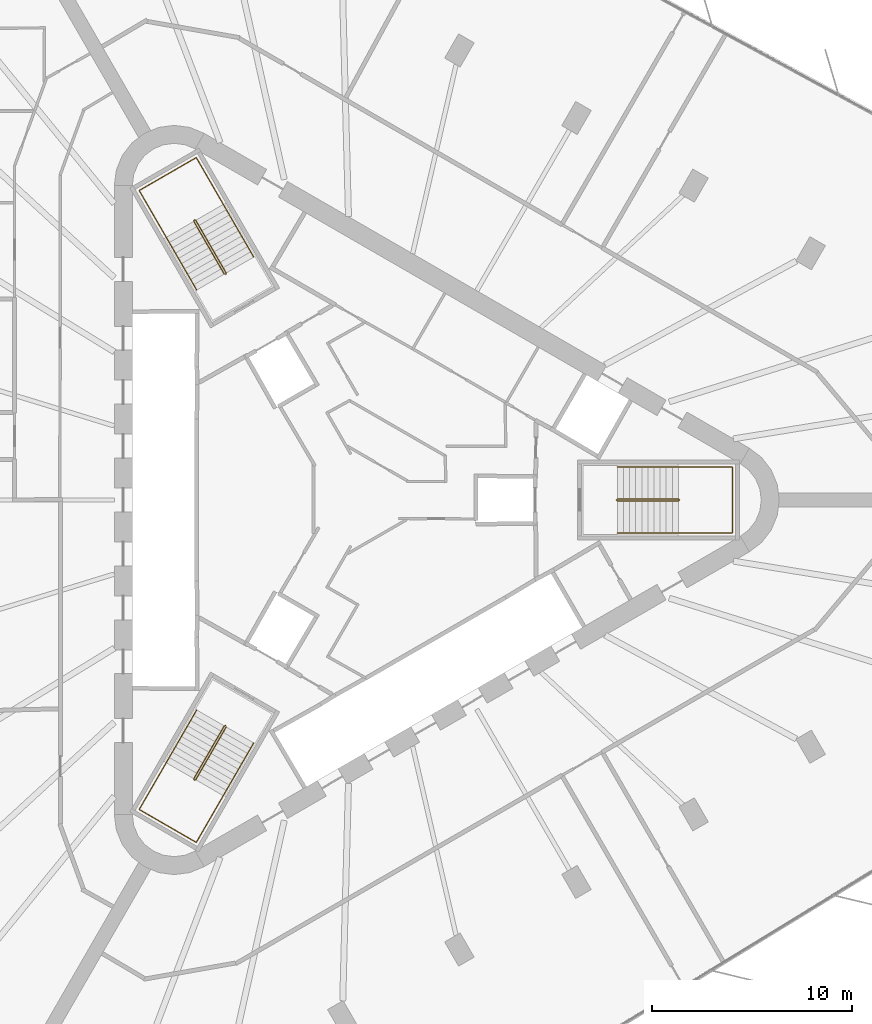
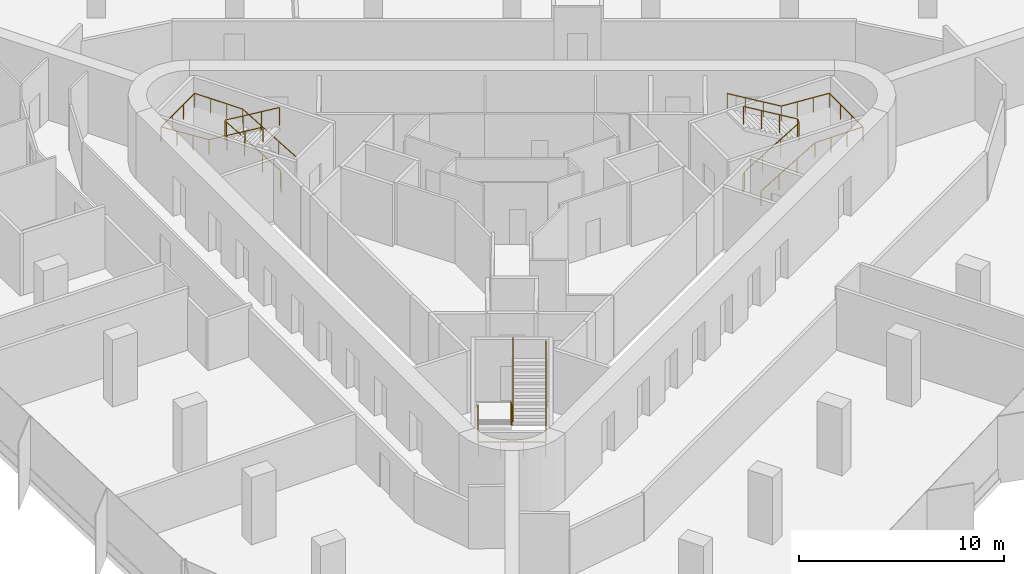
# One storey, part 14 of 14: 6 railings.
"""IFC4 building model written with IfcOpenShell, lengths in metres."""

from ifc_helpers import new_model, si_unit, direction, frame, origin, origin_2d, place, context, subcontext, project, spatial, circle, extrude, material, type_object, element, save


model = new_model("IFC4")

# Units and contexts
model_context = context("Model", 3, precision=1e-05, world=origin(), true_north=direction((0.0, 1.0)))
body_context = subcontext(model_context, "Body", "Model", "MODEL_VIEW")
ifc_project = project(units=[si_unit("LENGTHUNIT", "METRE"), si_unit("AREAUNIT", "SQUARE_METRE"), si_unit("VOLUMEUNIT", "CUBIC_METRE"), si_unit("PLANEANGLEUNIT", "RADIAN"), si_unit("MASSUNIT", "GRAM", prefix="KILO")], contexts=[model_context])

# Site, building, storey
site_placement = place(None, origin())
site = spatial("IfcSite", under=ifc_project, at=site_placement, CompositionType="ELEMENT")
building_placement = place(site_placement, origin())
building = spatial("IfcBuilding", under=site, at=building_placement, Name="Tanit Gate Tower", CompositionType="ELEMENT")
storey_placement = place(building_placement, frame((0.0, 0.0, 225.199951171875)))
storey = spatial("IfcBuildingStorey", under=building, at=storey_placement, Name="L50", CompositionType="ELEMENT", Elevation=225.199951171875)

# Railings
ifc_material_1 = material(Name="Stainless steel balustrade", Category="steel")
railing_type_1 = type_object("IfcRailingType", Name="INT-STAIR-GUARD", PredefinedType="GUARDRAIL", material=ifc_material_1)
railing_1_placement = place(storey_placement, frame((13.044921875, 0.0048828125, 0.0)))
element("IfcRailing", 1, at=railing_1_placement, inside=storey, type_object=railing_type_1, Name="L50 S1 stair guard 1", PredefinedType="GUARDRAIL", context=body_context, shape_type="SweptSolid", body=[
    extrude(circle(Radius=0.02392578125, at=origin_2d()), frame((0.0, 0.0, 1.076171875), z_axis=(0.0, -1.0, 0.0), x_axis=(1.0, 0.0, 0.0)), (0.0, 0.0, 1.0), 0.009765625),
    extrude(circle(Radius=0.02392578125, at=origin_2d()), frame((0.0, -0.009765625, 1.076171875), z_axis=(0.256435381639, -0.256435381639, 0.931923704005), x_axis=(0.707106781187, 0.707106781187, 0.0)), (0.0, 0.0, 1.0), 0.195068359375),
    extrude(circle(Radius=0.02392578125, at=origin_2d()), frame((0.050048828125, -0.059814453125, 1.2578125), z_axis=(0.859041732319, 0.0, 0.511905559781), x_axis=(0.0, 1.0, 0.0)), (0.0, 0.0, 1.0), 3.5517578125),
    extrude(circle(Radius=0.02392578125, at=origin_2d()), frame((3.10107421875, -0.059814453125, 3.076171875), z_axis=(0.707106781187, 0.707106781187, 0.0), x_axis=(-0.707106781187, 0.707106781187, 0.0)), (0.0, 0.0, 1.0), 0.07080078125),
    extrude(circle(Radius=0.02392578125, at=origin_2d()), frame((3.151123046875, -0.009765625, 3.076171875), z_axis=(0.0, 1.0, 0.0), x_axis=(-1.0, 0.0, 0.0)), (0.0, 0.0, 1.0), 0.009765625),
    extrude(circle(Radius=0.02392578125, at=origin_2d()), frame((3.151123046875, 0.0, 3.076171875), z_axis=(-0.256435381639, 0.256435381639, 0.931923704005), x_axis=(-0.707106781187, -0.707106781187, 0.0)), (0.0, 0.0, 1.0), 0.195068359375),
    extrude(circle(Radius=0.02392578125, at=origin_2d()), frame((3.10107421875, 0.050048828125, 3.2578125), z_axis=(-0.859041732319, 0.0, 0.511905559781), x_axis=(0.0, -1.0, 0.0)), (0.0, 0.0, 1.0), 3.5517578125),
    extrude(circle(Radius=0.02099609375, at=origin_2d()), origin(), (0.0, 0.0, 1.0), 1.052001953125),
    extrude(circle(Radius=0.02099609375, at=origin_2d()), frame((0.0, -0.009765625, 0.0)), (0.0, 0.0, 1.0), 1.052001953125),
    extrude(circle(Radius=0.02099609375, at=origin_2d()), frame((0.050048828125, -0.059814453125, 0.181884765625)), (0.0, 0.0, 1.0), 1.052001953125),
    extrude(circle(Radius=0.02099609375, at=origin_2d()), frame((1.067138671875, -0.059814453125, 0.787841796875)), (0.0, 0.0, 1.0), 1.052001953125),
    extrude(circle(Radius=0.02099609375, at=origin_2d()), frame((2.083984375, -0.059814453125, 1.39404296875)), (0.0, 0.0, 1.0), 1.052001953125),
    extrude(circle(Radius=0.02099609375, at=origin_2d()), frame((3.10107421875, -0.059814453125, 2.0)), (0.0, 0.0, 1.0), 1.052001953125),
    extrude(circle(Radius=0.02099609375, at=origin_2d()), frame((3.151123046875, -0.009765625, 2.0)), (0.0, 0.0, 1.0), 1.052001953125),
    extrude(circle(Radius=0.02099609375, at=origin_2d()), frame((3.151123046875, 0.0, 2.0)), (0.0, 0.0, 1.0), 1.052001953125),
    extrude(circle(Radius=0.02099609375, at=origin_2d()), frame((3.10107421875, 0.050048828125, 2.181884765625)), (0.0, 0.0, 1.0), 1.052001953125),
    extrude(circle(Radius=0.02099609375, at=origin_2d()), frame((2.083984375, 0.050048828125, 2.787841796875)), (0.0, 0.0, 1.0), 1.052001953125),
    extrude(circle(Radius=0.02099609375, at=origin_2d()), frame((1.067138671875, 0.050048828125, 3.39404296875)), (0.0, 0.0, 1.0), 1.052001953125),
    extrude(circle(Radius=0.02099609375, at=origin_2d()), frame((0.050048828125, 0.050048828125, 4.0)), (0.0, 0.0, 1.0), 1.052001953125),
])
railing_2_placement = place(storey_placement, frame((-6.527099609375, 11.29345703125, 0.0)))
element("IfcRailing", 2, at=railing_2_placement, inside=storey, type_object=railing_type_1, Name="L50 S2 stair guard 1", PredefinedType="GUARDRAIL", context=body_context, shape_type="SweptSolid", body=[
    extrude(circle(Radius=0.02392578125, at=origin_2d()), frame((0.0, 0.0, 1.076171875), z_axis=(0.868243142124, 0.496138938357, 0.0), x_axis=(-0.496138938357, 0.868243142124, 0.0)), (0.0, 0.0, 1.0), 0.01171875),
    extrude(circle(Radius=0.02392578125, at=origin_2d()), frame((0.01025390625, 0.005859375, 1.076171875), z_axis=(0.093819657636, 0.350260055175, 0.93194193252), x_axis=(-0.965948051503, 0.258736085224, 0.0)), (0.0, 0.0, 1.0), 0.195068359375),
    extrude(circle(Radius=0.02392578125, at=origin_2d()), frame((0.028564453125, 0.07421875, 1.2578125), z_axis=(-0.429472220917, 0.743822504634, 0.512134448226), x_axis=(-0.866012246495, -0.500022788402, 0.0)), (0.0, 0.0, 1.0), 3.550048828125),
    extrude(circle(Radius=0.02392578125, at=origin_2d()), frame((-1.49609375, 2.71484375, 3.076171875), z_axis=(-0.965715946433, 0.259601060869, 0.0), x_axis=(-0.259601060869, -0.965715946433, 0.0)), (0.0, 0.0, 1.0), 0.070556640625),
    extrude(circle(Radius=0.02392578125, at=origin_2d()), frame((-1.564208984375, 2.733154296875, 3.076171875), z_axis=(-0.873197702015, -0.487366159264, 0.0), x_axis=(0.487366159264, -0.873197702015, 0.0)), (0.0, 0.0, 1.0), 0.011962890625),
    extrude(circle(Radius=0.02392578125, at=origin_2d()), frame((-1.57470703125, 2.727294921875, 3.076171875), z_axis=(-0.093819657636, -0.350260055175, 0.93194193252), x_axis=(0.965948051503, -0.258736085224, 0.0)), (0.0, 0.0, 1.0), 0.195068359375),
    extrude(circle(Radius=0.02392578125, at=origin_2d()), frame((-1.593017578125, 2.658935546875, 3.2578125), z_axis=(0.429472220917, -0.743822504634, 0.512134448226), x_axis=(0.866012246495, 0.500022788402, 0.0)), (0.0, 0.0, 1.0), 3.550048828125),
    extrude(circle(Radius=0.02099609375, at=origin_2d()), origin(), (0.0, 0.0, 1.0), 1.052001953125),
    extrude(circle(Radius=0.02099609375, at=origin_2d()), frame((0.01025390625, 0.005859375, 0.0)), (0.0, 0.0, 1.0), 1.052001953125),
    extrude(circle(Radius=0.02099609375, at=origin_2d()), frame((0.028564453125, 0.07421875, 0.181884765625)), (0.0, 0.0, 1.0), 1.052001953125),
    extrude(circle(Radius=0.02099609375, at=origin_2d()), frame((-0.479736328125, 0.954345703125, 0.787841796875)), (0.0, 0.0, 1.0), 1.052001953125),
    extrude(circle(Radius=0.02099609375, at=origin_2d()), frame((-0.98779296875, 1.834716796875, 1.39404296875)), (0.0, 0.0, 1.0), 1.052001953125),
    extrude(circle(Radius=0.02099609375, at=origin_2d()), frame((-1.49609375, 2.71484375, 2.0)), (0.0, 0.0, 1.0), 1.052001953125),
    extrude(circle(Radius=0.02099609375, at=origin_2d()), frame((-1.564208984375, 2.733154296875, 2.0)), (0.0, 0.0, 1.0), 1.052001953125),
    extrude(circle(Radius=0.02099609375, at=origin_2d()), frame((-1.57470703125, 2.727294921875, 2.0)), (0.0, 0.0, 1.0), 1.052001953125),
    extrude(circle(Radius=0.02099609375, at=origin_2d()), frame((-1.593017578125, 2.658935546875, 2.181884765625)), (0.0, 0.0, 1.0), 1.052001953125),
    extrude(circle(Radius=0.02099609375, at=origin_2d()), frame((-1.084716796875, 1.77880859375, 2.787841796875)), (0.0, 0.0, 1.0), 1.052001953125),
    extrude(circle(Radius=0.02099609375, at=origin_2d()), frame((-0.57666015625, 0.8984375, 3.39404296875)), (0.0, 0.0, 1.0), 1.052001953125),
    extrude(circle(Radius=0.02099609375, at=origin_2d()), frame((-0.068359375, 0.018310546875, 4.0)), (0.0, 0.0, 1.0), 1.052001953125),
])
railing_3_placement = place(storey_placement, frame((-6.51806640625, -11.2998046875, 0.0)))
element("IfcRailing", 3, at=railing_3_placement, inside=storey, type_object=railing_type_1, Name="L50 S3 stair guard 1", PredefinedType="GUARDRAIL", context=body_context, shape_type="SweptSolid", body=[
    extrude(circle(Radius=0.02392578125, at=origin_2d()), frame((0.0, 0.0, 1.076171875), z_axis=(-0.874157276122, 0.485642931179, 0.0), x_axis=(-0.485642931179, -0.874157276122, 0.0)), (0.0, 0.0, 1.0), 0.010009765625),
    extrude(circle(Radius=0.02392578125, at=origin_2d()), frame((-0.0087890625, 0.0048828125, 1.076171875), z_axis=(-0.350300895388, -0.092579522353, 0.932050596658), x_axis=(0.255512919477, -0.966805641264, 0.0)), (0.0, 0.0, 1.0), 0.195068359375),
    extrude(circle(Radius=0.02392578125, at=origin_2d()), frame((-0.0771484375, -0.01318359375, 1.2578125), z_axis=(-0.429486674828, -0.743971555965, 0.511905772639), x_axis=(0.866048339477, -0.499960272111, 0.0)), (0.0, 0.0, 1.0), 3.5517578125),
    extrude(circle(Radius=0.02392578125, at=origin_2d()), frame((-1.6025390625, -2.655517578125, 3.076171875), z_axis=(0.258736085224, -0.965948051503, 0.0), x_axis=(0.965948051503, 0.258736085224, 0.0)), (0.0, 0.0, 1.0), 0.07080078125),
    extrude(circle(Radius=0.02392578125, at=origin_2d()), frame((-1.584228515625, -2.723876953125, 3.076171875), z_axis=(0.868243142124, -0.496138938357, 0.0), x_axis=(0.496138938357, 0.868243142124, 0.0)), (0.0, 0.0, 1.0), 0.009765625),
    extrude(circle(Radius=0.02392578125, at=origin_2d()), frame((-1.57568359375, -2.728759765625, 3.076171875), z_axis=(0.350260055175, 0.093819657636, 0.93194193252), x_axis=(-0.258736085224, 0.965948051503, 0.0)), (0.0, 0.0, 1.0), 0.195068359375),
    extrude(circle(Radius=0.02392578125, at=origin_2d()), frame((-1.50732421875, -2.71044921875, 3.2578125), z_axis=(0.429564698942, 0.743918894535, 0.511916836777), x_axis=(-0.865993683553, 0.500054937028, 0.0)), (0.0, 0.0, 1.0), 3.551513671875),
    extrude(circle(Radius=0.02099609375, at=origin_2d()), origin(), (0.0, 0.0, 1.0), 1.052001953125),
    extrude(circle(Radius=0.02099609375, at=origin_2d()), frame((-0.0087890625, 0.0048828125, 0.0)), (0.0, 0.0, 1.0), 1.052001953125),
    extrude(circle(Radius=0.02099609375, at=origin_2d()), frame((-0.0771484375, -0.01318359375, 0.181884765625)), (0.0, 0.0, 1.0), 1.052001953125),
    extrude(circle(Radius=0.02099609375, at=origin_2d()), frame((-0.585693359375, -0.89404296875, 0.787841796875)), (0.0, 0.0, 1.0), 1.052001953125),
    extrude(circle(Radius=0.02099609375, at=origin_2d()), frame((-1.093994140625, -1.774658203125, 1.39404296875)), (0.0, 0.0, 1.0), 1.052001953125),
    extrude(circle(Radius=0.02099609375, at=origin_2d()), frame((-1.6025390625, -2.655517578125, 2.0)), (0.0, 0.0, 1.0), 1.052001953125),
    extrude(circle(Radius=0.02099609375, at=origin_2d()), frame((-1.584228515625, -2.723876953125, 2.0)), (0.0, 0.0, 1.0), 1.052001953125),
    extrude(circle(Radius=0.02099609375, at=origin_2d()), frame((-1.57568359375, -2.728759765625, 2.0)), (0.0, 0.0, 1.0), 1.052001953125),
    extrude(circle(Radius=0.02099609375, at=origin_2d()), frame((-1.50732421875, -2.71044921875, 2.181884765625)), (0.0, 0.0, 1.0), 1.052001953125),
    extrude(circle(Radius=0.02099609375, at=origin_2d()), frame((-0.998779296875, -1.829833984375, 2.787841796875)), (0.0, 0.0, 1.0), 1.052001953125),
    extrude(circle(Radius=0.02099609375, at=origin_2d()), frame((-0.490234375, -0.948974609375, 3.39404296875)), (0.0, 0.0, 1.0), 1.052001953125),
    extrude(circle(Radius=0.02099609375, at=origin_2d()), frame((0.018310546875, -0.068359375, 4.0)), (0.0, 0.0, 1.0), 1.052001953125),
])
ifc_material_2 = material(Name="Stainless steel handrail", Category="steel")
railing_type_2 = type_object("IfcRailingType", Name="INT-STAIR-HANDRAIL", PredefinedType="HANDRAIL", material=ifc_material_2)
railing_4_placement = place(storey_placement, frame((13.094970703125, -1.64990234375, 0.181884765625)))
element("IfcRailing", 4, at=railing_4_placement, inside=storey, type_object=railing_type_2, Name="L50 S1 stair handrail 1", PredefinedType="HANDRAIL", context=body_context, shape_type="SweptSolid", body=[
    extrude(circle(Radius=0.02392578125, at=origin_2d()), frame((0.0, 0.0, 0.8759765625), z_axis=(0.859041732319, 0.0, 0.511905559781), x_axis=(0.0, 1.0, 0.0)), (0.0, 0.0, 1.0), 3.5517578125),
    extrude(circle(Radius=0.02392578125, at=origin_2d()), frame((3.051025390625, 0.0, 2.69384765625), z_axis=(1.0, 0.0, 0.0), x_axis=(0.0, 1.0, 0.0)), (0.0, 0.0, 1.0), 2.7041015625),
    extrude(circle(Radius=0.02392578125, at=origin_2d()), frame((5.755126953125, 0.0, 2.69384765625), z_axis=(0.0, 1.0, 0.0), x_axis=(-1.0, 0.0, 0.0)), (0.0, 0.0, 1.0), 3.2998046875),
    extrude(circle(Radius=0.02392578125, at=origin_2d()), frame((5.755126953125, 3.2998046875, 2.69384765625), z_axis=(-0.997745521698, 0.0, 0.067110907698), x_axis=(0.0, -1.0, 0.0)), (0.0, 0.0, 1.0), 2.710205078125),
    extrude(circle(Radius=0.02392578125, at=origin_2d()), frame((3.051025390625, 3.2998046875, 2.8759765625), z_axis=(-0.859041732319, 0.0, 0.511905559781), x_axis=(0.0, -1.0, 0.0)), (0.0, 0.0, 1.0), 3.5517578125),
    extrude(circle(Radius=0.02099609375, at=origin_2d()), origin(), (0.0, 0.0, 1.0), 0.851806640625),
    extrude(circle(Radius=0.02099609375, at=origin_2d()), frame((1.01708984375, 0.0, 0.60595703125)), (0.0, 0.0, 1.0), 0.851806640625),
    extrude(circle(Radius=0.02099609375, at=origin_2d()), frame((2.033935546875, 0.0, 1.212158203125)), (0.0, 0.0, 1.0), 0.851806640625),
    extrude(circle(Radius=0.02099609375, at=origin_2d()), frame((3.051025390625, 0.0, 1.818115234375)), (0.0, 0.0, 1.0), 0.851806640625),
    extrude(circle(Radius=0.02099609375, at=origin_2d()), frame((3.952392578125, 0.0, 1.818115234375)), (0.0, 0.0, 1.0), 0.851806640625),
    extrude(circle(Radius=0.02099609375, at=origin_2d()), frame((4.853759765625, 0.0, 1.818115234375)), (0.0, 0.0, 1.0), 0.851806640625),
    extrude(circle(Radius=0.02099609375, at=origin_2d()), frame((5.755126953125, 0.0, 1.818115234375)), (0.0, 0.0, 1.0), 0.851806640625),
    extrude(circle(Radius=0.02099609375, at=origin_2d()), frame((5.755126953125, 1.099853515625, 1.818115234375)), (0.0, 0.0, 1.0), 0.851806640625),
    extrude(circle(Radius=0.02099609375, at=origin_2d()), frame((5.755126953125, 2.199951171875, 1.818115234375)), (0.0, 0.0, 1.0), 0.851806640625),
    extrude(circle(Radius=0.02099609375, at=origin_2d()), frame((5.755126953125, 3.2998046875, 1.818115234375)), (0.0, 0.0, 1.0), 0.851806640625),
    extrude(circle(Radius=0.02099609375, at=origin_2d()), frame((4.853759765625, 3.2998046875, 1.878662109375)), (0.0, 0.0, 1.0), 0.851806640625),
    extrude(circle(Radius=0.02099609375, at=origin_2d()), frame((3.952392578125, 3.2998046875, 1.939453125)), (0.0, 0.0, 1.0), 0.851806640625),
    extrude(circle(Radius=0.02099609375, at=origin_2d()), frame((3.051025390625, 3.2998046875, 2.0)), (0.0, 0.0, 1.0), 0.851806640625),
    extrude(circle(Radius=0.02099609375, at=origin_2d()), frame((2.033935546875, 3.2998046875, 2.60595703125)), (0.0, 0.0, 1.0), 0.851806640625),
    extrude(circle(Radius=0.02099609375, at=origin_2d()), frame((1.01708984375, 3.2998046875, 3.212158203125)), (0.0, 0.0, 1.0), 0.851806640625),
    extrude(circle(Radius=0.02099609375, at=origin_2d()), frame((0.0, 3.2998046875, 3.818115234375)), (0.0, 0.0, 1.0), 0.851806640625),
])
railing_5_placement = place(storey_placement, frame((-5.1181640625, 12.164794921875, 0.181884765625)))
element("IfcRailing", 5, at=railing_5_placement, inside=storey, type_object=railing_type_2, Name="L50 S2 stair handrail 1", PredefinedType="HANDRAIL", context=body_context, shape_type="SweptSolid", body=[
    extrude(circle(Radius=0.02392578125, at=origin_2d()), frame((0.0, 0.0, 0.8759765625), z_axis=(-0.429416132344, 0.743844472684, 0.512149573602), x_axis=(-0.866046917185, -0.499962735845, 0.0)), (0.0, 0.0, 1.0), 3.550048828125),
    extrude(circle(Radius=0.02392578125, at=origin_2d()), frame((-1.5244140625, 2.640625, 2.69384765625), z_axis=(-0.500019123664, 0.86601436245, 0.0), x_axis=(-0.86601436245, -0.500019123664, 0.0)), (0.0, 0.0, 1.0), 2.70703125),
    extrude(circle(Radius=0.02392578125, at=origin_2d()), frame((-2.8779296875, 4.98486328125, 2.69384765625), z_axis=(-0.866008176907, -0.50002983664, 0.0), x_axis=(0.50002983664, -0.866008176907, 0.0)), (0.0, 0.0, 1.0), 3.300048828125),
    extrude(circle(Radius=0.02392578125, at=origin_2d()), frame((-5.73583984375, 3.334716796875, 2.69384765625), z_axis=(0.498932980467, -0.864043208057, 0.067046369128), x_axis=(0.865991810323, 0.500058181068, 0.0)), (0.0, 0.0, 1.0), 2.712890625),
    extrude(circle(Radius=0.02392578125, at=origin_2d()), frame((-4.38232421875, 0.99072265625, 2.8759765625), z_axis=(0.429450252752, -0.743853224023, 0.512108251761), x_axis=(0.866032263162, 0.499988119021, 0.0)), (0.0, 0.0, 1.0), 3.55029296875),
    extrude(circle(Radius=0.02099609375, at=origin_2d()), origin(), (0.0, 0.0, 1.0), 0.851806640625),
    extrude(circle(Radius=0.02099609375, at=origin_2d()), frame((-0.508056640625, 0.880126953125, 0.60595703125)), (0.0, 0.0, 1.0), 0.851806640625),
    extrude(circle(Radius=0.02099609375, at=origin_2d()), frame((-1.016357421875, 1.760498046875, 1.212158203125)), (0.0, 0.0, 1.0), 0.851806640625),
    extrude(circle(Radius=0.02099609375, at=origin_2d()), frame((-1.5244140625, 2.640625, 1.818115234375)), (0.0, 0.0, 1.0), 0.851806640625),
    extrude(circle(Radius=0.02099609375, at=origin_2d()), frame((-1.9755859375, 3.422119140625, 1.818115234375)), (0.0, 0.0, 1.0), 0.851806640625),
    extrude(circle(Radius=0.02099609375, at=origin_2d()), frame((-2.4267578125, 4.203369140625, 1.818115234375)), (0.0, 0.0, 1.0), 0.851806640625),
    extrude(circle(Radius=0.02099609375, at=origin_2d()), frame((-2.8779296875, 4.98486328125, 1.818115234375)), (0.0, 0.0, 1.0), 0.851806640625),
    extrude(circle(Radius=0.02099609375, at=origin_2d()), frame((-3.83056640625, 4.434814453125, 1.818115234375)), (0.0, 0.0, 1.0), 0.851806640625),
    extrude(circle(Radius=0.02099609375, at=origin_2d()), frame((-4.783203125, 3.884765625, 1.818115234375)), (0.0, 0.0, 1.0), 0.851806640625),
    extrude(circle(Radius=0.02099609375, at=origin_2d()), frame((-5.73583984375, 3.334716796875, 1.818115234375)), (0.0, 0.0, 1.0), 0.851806640625),
    extrude(circle(Radius=0.02099609375, at=origin_2d()), frame((-5.28466796875, 2.553466796875, 1.878662109375)), (0.0, 0.0, 1.0), 0.851806640625),
    extrude(circle(Radius=0.02099609375, at=origin_2d()), frame((-4.83349609375, 1.77197265625, 1.939453125)), (0.0, 0.0, 1.0), 0.851806640625),
    extrude(circle(Radius=0.02099609375, at=origin_2d()), frame((-4.38232421875, 0.99072265625, 2.0)), (0.0, 0.0, 1.0), 0.851806640625),
    extrude(circle(Radius=0.02099609375, at=origin_2d()), frame((-3.8740234375, 0.1103515625, 2.60595703125)), (0.0, 0.0, 1.0), 0.851806640625),
    extrude(circle(Radius=0.02099609375, at=origin_2d()), frame((-3.365966796875, -0.769775390625, 3.212158203125)), (0.0, 0.0, 1.0), 0.851806640625),
    extrude(circle(Radius=0.02099609375, at=origin_2d()), frame((-2.857666015625, -1.650146484375, 3.818115234375)), (0.0, 0.0, 1.0), 0.851806640625),
])
railing_6_placement = place(storey_placement, frame((-7.9765625, -10.515625, 0.181884765625)))
element("IfcRailing", 6, at=railing_6_placement, inside=storey, type_object=railing_type_2, Name="L50 S3 stair handrail 1", PredefinedType="HANDRAIL", context=body_context, shape_type="SweptSolid", body=[
    extrude(circle(Radius=0.02392578125, at=origin_2d()), frame((0.0, 0.0, 0.8759765625), z_axis=(-0.429486674828, -0.743971555965, 0.511905772639), x_axis=(0.866048339477, -0.499960272111, 0.0)), (0.0, 0.0, 1.0), 3.5517578125),
    extrude(circle(Radius=0.02392578125, at=origin_2d()), frame((-1.525390625, -2.642333984375, 2.69384765625), z_axis=(-0.50004290449, -0.866000631449, 0.0), x_axis=(0.866000631449, -0.50004290449, 0.0)), (0.0, 0.0, 1.0), 2.703857421875),
    extrude(circle(Radius=0.02392578125, at=origin_2d()), frame((-2.87744140625, -4.98388671875, 2.69384765625), z_axis=(0.866008176907, -0.50002983664, 0.0), x_axis=(0.50002983664, 0.866008176907, 0.0)), (0.0, 0.0, 1.0), 3.300048828125),
    extrude(circle(Radius=0.02392578125, at=origin_2d()), frame((-0.01953125, -6.634033203125, 2.69384765625), z_axis=(0.498876541924, 0.864070745781, 0.067111416348), x_axis=(-0.866023205937, 0.500003806764, 0.0)), (0.0, 0.0, 1.0), 2.710205078125),
    extrude(circle(Radius=0.02392578125, at=origin_2d()), frame((1.33251953125, -4.292236328125, 2.8759765625), z_axis=(0.429486674828, 0.743971555965, 0.511905772639), x_axis=(-0.866048339477, 0.499960272111, 0.0)), (0.0, 0.0, 1.0), 3.5517578125),
    extrude(circle(Radius=0.02099609375, at=origin_2d()), origin(), (0.0, 0.0, 1.0), 0.851806640625),
    extrude(circle(Radius=0.02099609375, at=origin_2d()), frame((-0.508544921875, -0.880859375, 0.60595703125)), (0.0, 0.0, 1.0), 0.851806640625),
    extrude(circle(Radius=0.02099609375, at=origin_2d()), frame((-1.016845703125, -1.761474609375, 1.212158203125)), (0.0, 0.0, 1.0), 0.851806640625),
    extrude(circle(Radius=0.02099609375, at=origin_2d()), frame((-1.525390625, -2.642333984375, 1.818115234375)), (0.0, 0.0, 1.0), 0.851806640625),
    extrude(circle(Radius=0.02099609375, at=origin_2d()), frame((-1.97607421875, -3.4228515625, 1.818115234375)), (0.0, 0.0, 1.0), 0.851806640625),
    extrude(circle(Radius=0.02099609375, at=origin_2d()), frame((-2.4267578125, -4.203369140625, 1.818115234375)), (0.0, 0.0, 1.0), 0.851806640625),
    extrude(circle(Radius=0.02099609375, at=origin_2d()), frame((-2.87744140625, -4.98388671875, 1.818115234375)), (0.0, 0.0, 1.0), 0.851806640625),
    extrude(circle(Radius=0.02099609375, at=origin_2d()), frame((-1.9248046875, -5.533935546875, 1.818115234375)), (0.0, 0.0, 1.0), 0.851806640625),
    extrude(circle(Radius=0.02099609375, at=origin_2d()), frame((-0.97216796875, -6.083984375, 1.818115234375)), (0.0, 0.0, 1.0), 0.851806640625),
    extrude(circle(Radius=0.02099609375, at=origin_2d()), frame((-0.01953125, -6.634033203125, 1.818115234375)), (0.0, 0.0, 1.0), 0.851806640625),
    extrude(circle(Radius=0.02099609375, at=origin_2d()), frame((0.43115234375, -5.853515625, 1.878662109375)), (0.0, 0.0, 1.0), 0.851806640625),
    extrude(circle(Radius=0.02099609375, at=origin_2d()), frame((0.8818359375, -5.07275390625, 1.939453125)), (0.0, 0.0, 1.0), 0.851806640625),
    extrude(circle(Radius=0.02099609375, at=origin_2d()), frame((1.33251953125, -4.292236328125, 2.0)), (0.0, 0.0, 1.0), 0.851806640625),
    extrude(circle(Radius=0.02099609375, at=origin_2d()), frame((1.841064453125, -3.411376953125, 2.60595703125)), (0.0, 0.0, 1.0), 0.851806640625),
    extrude(circle(Radius=0.02099609375, at=origin_2d()), frame((2.349365234375, -2.53076171875, 3.212158203125)), (0.0, 0.0, 1.0), 0.851806640625),
    extrude(circle(Radius=0.02099609375, at=origin_2d()), frame((2.85791015625, -1.64990234375, 3.818115234375)), (0.0, 0.0, 1.0), 0.851806640625),
])

save(model, "model.ifc")
